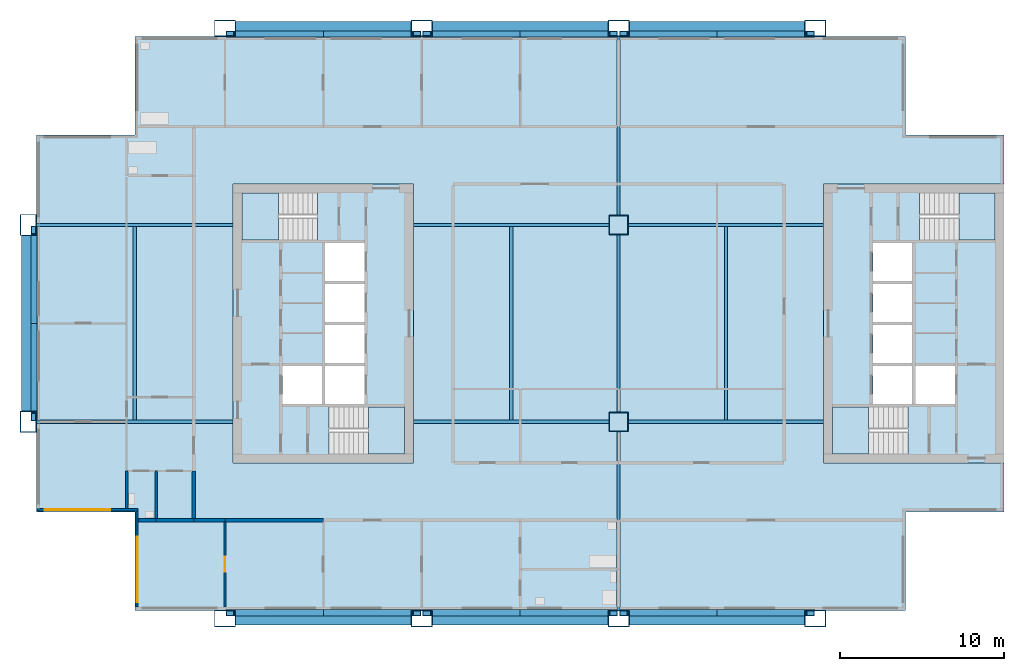
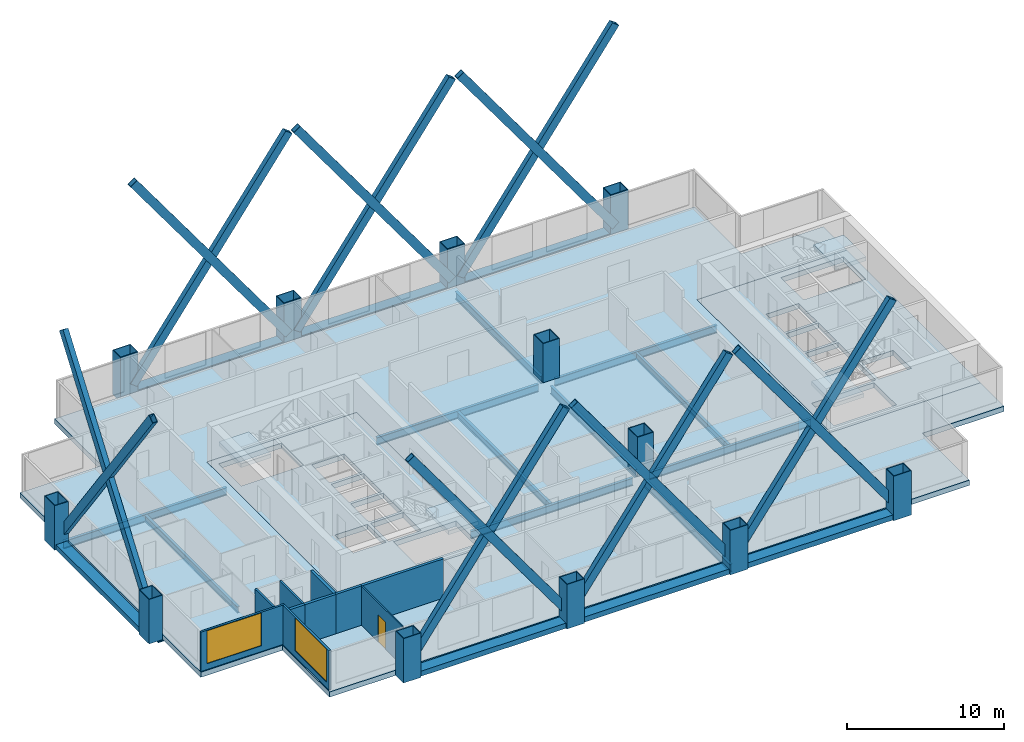
# One storey, part 1 of 8: 19 beams, 14 members, 12 columns, 10 walls, 7 slabs, 2 windows, 1 door, 3 openings, 4 elements without a shape of their own.
"""IFC4 building model written with IfcOpenShell, lengths in metres."""

from ifc_helpers import new_model, si_unit, direction, frame, frame_2d, origin, origin_2d, place, context, subcontext, project, spatial, polyline, rectangle, hollow_rectangle, i_section, outline, extrude, material, layer, layer_set, material_profile, profile_set, type_object, element, fill, aggregate, save


model = new_model("IFC4")

# Units and contexts
model_context = context("Model", 3, precision=1e-05, world=origin(), true_north=direction((0.0, 1.0)))
body_context = subcontext(model_context, "Body", "Model", "MODEL_VIEW")
ifc_project = project(units=[si_unit("LENGTHUNIT", "METRE"), si_unit("AREAUNIT", "SQUARE_METRE"), si_unit("VOLUMEUNIT", "CUBIC_METRE"), si_unit("PLANEANGLEUNIT", "RADIAN"), si_unit("MASSUNIT", "GRAM", prefix="KILO")], contexts=[model_context])

# Site, building, storey
site_placement = place(None, origin())
site = spatial("IfcSite", under=ifc_project, at=site_placement, CompositionType="ELEMENT")
building_placement = place(site_placement, origin())
building = spatial("IfcBuilding", under=site, at=building_placement, Name="Kitamizu Gate Tower and Museum", CompositionType="ELEMENT")
storey_placement = place(building_placement, frame((0.0, 0.0, 158.25)))
storey = spatial("IfcBuildingStorey", under=building, at=storey_placement, Name="L41", CompositionType="ELEMENT", Elevation=158.25)

# Columns
ifc_material_1 = material(Name="Steel SM490A bronze coated", Category="steel")
ifc_material_profile_1 = material_profile(ifc_material_1, hollow_rectangle(XDim=1.300048828125, YDim=1.0, WallThickness=0.050048828125, at=origin_2d()), Name="BOX 1300x1000x50")
ifc_profile_set_1 = profile_set([ifc_material_profile_1], Name="Steel SM490A bronze coated")
column_type_1 = type_object("IfcColumnType", Name="Exoskeleton column XC6 BOX 1300x1000x50", PredefinedType="COLUMN", material=ifc_profile_set_1)
for number, where, z_axis, x_axis, name in (
    (1, (0.0, 24.0, -0.39990234375), (0.0, 0.0, 1.0), (0.0, 1.0, 0.0), "Column XC6 1C L41"),
    (2, (0.0, 36.0, -0.39990234375), (0.0, 0.0, 1.0), (0.0, 1.0, 0.0), "Column XC6 1D L41"),
    (3, (12.0, 12.0, -0.39990234375), (0.0, 0.0, 1.0), (1.0, 0.0, 0.0), "Column XC6 2B L41"),
    (4, (12.0, 48.0, -0.39990234375), (0.0, 0.0, 1.0), (1.0, 0.0, 0.0), "Column XC6 2E L41"),
    (5, (24.0, 12.0, -0.39990234375), (0.0, 0.0, 1.0), (1.0, 0.0, 0.0), "Column XC6 3B L41"),
    (6, (24.0, 48.0, -0.39990234375), (0.0, 0.0, 1.0), (1.0, 0.0, 0.0), "Column XC6 3E L41"),
    (7, (36.0, 12.0, -0.39990234375), (0.0, 0.0, 1.0), (1.0, 0.0, 0.0), "Column XC6 4B L41"),
    (8, (36.0, 48.0, -0.39990234375), (0.0, 0.0, 1.0), (1.0, 0.0, 0.0), "Column XC6 4E L41"),
    (9, (48.0, 12.0, -0.39990234375), (0.0, 0.0, 1.0), (1.0, 0.0, 0.0), "Column XC6 5B L41"),
    (10, (48.0, 48.0, -0.39990234375), (0.0, 0.0, 1.0), (1.0, 0.0, 0.0), "Column XC6 5E L41"),
):
    element("IfcColumn", number, at=place(storey_placement, frame(where, z_axis=z_axis, x_axis=x_axis)), inside=storey, type_object=column_type_1, Name=name, PredefinedType="COLUMN", context=body_context, shape_type="SweptSolid", body=[
        extrude(hollow_rectangle(XDim=1.300048828125, YDim=1.0, WallThickness=0.050048828125, at=origin_2d()), origin(), (0.0, 0.0, 1.0), 3.449951171875),
    ])
ifc_material_2 = material(Name="Steel SM490A", Category="steel")
ifc_material_profile_2 = material_profile(ifc_material_2, hollow_rectangle(XDim=1.199951171875, YDim=1.199951171875, WallThickness=0.050048828125, at=origin_2d()), Name="BOX 1200x1200x50")
ifc_profile_set_2 = profile_set([ifc_material_profile_2], Name="Steel SM490A")
column_type_2 = type_object("IfcColumnType", Name="Interior column IC4 BOX 1200x1200x50", PredefinedType="COLUMN", material=ifc_profile_set_2)
for number, where, z_axis, x_axis, name in (
    (11, (36.0, 24.0, 0.0), (0.0, 0.0, 1.0), (1.0, 0.0, 0.0), "Column IC4 4C L41"),
    (12, (36.0, 36.0, 0.0), (0.0, 0.0, 1.0), (1.0, 0.0, 0.0), "Column IC4 4D L41"),
):
    element("IfcColumn", number, at=place(storey_placement, frame(where, z_axis=z_axis, x_axis=x_axis)), inside=storey, type_object=column_type_2, Name=name, PredefinedType="COLUMN", context=body_context, shape_type="SweptSolid", body=[
        extrude(hollow_rectangle(XDim=1.199951171875, YDim=1.199951171875, WallThickness=0.050048828125, at=origin_2d()), origin(), (0.0, 0.0, 1.0), 3.050048828125),
    ])

# Members
ifc_material_3 = material(Name="Steel SM490A bronze coated", Category="steel")
ifc_material_profile_3 = material_profile(ifc_material_3, hollow_rectangle(XDim=0.3798828125, YDim=0.60009765625, WallThickness=0.031982421875, at=origin_2d()), Name="BOX 380x600x32")
ifc_profile_set_3 = profile_set([ifc_material_profile_3], Name="Steel SM490A bronze coated")
member_type = type_object("IfcMemberType", Name="Exoskeleton brace XB7 BOX 380x600x32", PredefinedType="BRACE", material=ifc_profile_set_3)
for number, where, z_axis, x_axis, name in (
    (13, (12.300048828125, 12.360107421875, 0.60009765625), (0.588784824068, 0.0, 0.808289818658), (0.0, 1.0, 0.0), "Exoskeleton brace XB7 south 12 L41"),
    (14, (23.699951171875, 12.360107421875, 0.60009765625), (-0.588784824068, 0.0, 0.808289818658), (0.0, -1.0, 0.0), "Exoskeleton brace XB7 south 12 L41"),
    (15, (24.300048828125, 12.360107421875, 0.60009765625), (0.588784824068, 0.0, 0.808289818658), (0.0, 1.0, 0.0), "Exoskeleton brace XB7 south 24 L41"),
    (16, (35.699951171875, 12.360107421875, 0.60009765625), (-0.588784824068, 0.0, 0.808289818658), (0.0, -1.0, 0.0), "Exoskeleton brace XB7 south 24 L41"),
    (17, (36.300048828125, 12.360107421875, 0.60009765625), (0.588784824068, 0.0, 0.808289818658), (0.0, 1.0, 0.0), "Exoskeleton brace XB7 south 36 L41"),
    (18, (47.699951171875, 12.360107421875, 0.60009765625), (-0.588784824068, 0.0, 0.808289818658), (0.0, -1.0, 0.0), "Exoskeleton brace XB7 south 36 L41"),
    (19, (12.300048828125, 47.639892578125, 0.60009765625), (0.588784824068, 0.0, 0.808289818658), (0.0, 1.0, 0.0), "Exoskeleton brace XB7 north 12 L41"),
    (20, (23.699951171875, 47.639892578125, 0.60009765625), (-0.588784824068, 0.0, 0.808289818658), (0.0, -1.0, 0.0), "Exoskeleton brace XB7 north 12 L41"),
    (21, (24.300048828125, 47.639892578125, 0.60009765625), (0.588784824068, 0.0, 0.808289818658), (0.0, 1.0, 0.0), "Exoskeleton brace XB7 north 24 L41"),
    (22, (35.699951171875, 47.639892578125, 0.60009765625), (-0.588784824068, 0.0, 0.808289818658), (0.0, -1.0, 0.0), "Exoskeleton brace XB7 north 24 L41"),
    (23, (36.300048828125, 47.639892578125, 0.60009765625), (0.588784824068, 0.0, 0.808289818658), (0.0, 1.0, 0.0), "Exoskeleton brace XB7 north 36 L41"),
    (24, (47.699951171875, 47.639892578125, 0.60009765625), (-0.588784824068, 0.0, 0.808289818658), (0.0, -1.0, 0.0), "Exoskeleton brace XB7 north 36 L41"),
    (25, (0.360107421875, 24.300048828125, 0.60009765625), (0.0, 0.588784824068, 0.808289818658), (-1.0, 0.0, 0.0), "Exoskeleton brace XB7 west 24 L41"),
    (26, (0.360107421875, 35.699951171875, 0.60009765625), (0.0, -0.588784824068, 0.808289818658), (1.0, 0.0, 0.0), "Exoskeleton brace XB7 west 24 L41"),
):
    element("IfcMember", number, at=place(storey_placement, frame(where, z_axis=z_axis, x_axis=x_axis)), inside=storey, type_object=member_type, Name=name, PredefinedType="BRACE", context=body_context, shape_type="SweptSolid", body=[
        extrude(hollow_rectangle(XDim=0.3798828125, YDim=0.60009765625, WallThickness=0.031982421875, at=origin_2d()), origin(), (0.0, 0.0, 1.0), 19.36181640625),
    ])

# Beams
ifc_material_4 = material(Name="Steel SM490A bronze coated", Category="steel")
ifc_material_profile_4 = material_profile(ifc_material_4, hollow_rectangle(XDim=0.800048828125, YDim=0.39990234375, WallThickness=0.0400390625, at=origin_2d()), Name="BOX 800x400x40")
ifc_profile_set_4 = profile_set([ifc_material_profile_4], Name="Steel SM490A bronze coated")
beam_type_1 = type_object("IfcBeamType", Name="Exoskeleton spandrel beam SB1 BOX 800x400x40", PredefinedType="SPANDREL", material=ifc_profile_set_4)
for number, where, z_axis, x_axis, name in (
    (27, (12.64990234375, 12.0, -0.199951171875), (1.0, 0.0, 0.0), (0.0, 1.0, 0.0), "Exoskeleton spandrel beam south 12 L41"),
    (28, (24.64990234375, 12.0, -0.199951171875), (1.0, 0.0, 0.0), (0.0, 1.0, 0.0), "Exoskeleton spandrel beam south 24 L41"),
    (29, (36.64990234375, 12.0, -0.199951171875), (1.0, 0.0, 0.0), (0.0, 1.0, 0.0), "Exoskeleton spandrel beam south 36 L41"),
    (30, (12.64990234375, 48.0, -0.199951171875), (1.0, 0.0, 0.0), (0.0, 1.0, 0.0), "Exoskeleton spandrel beam north 12 L41"),
    (31, (24.64990234375, 48.0, -0.199951171875), (1.0, 0.0, 0.0), (0.0, 1.0, 0.0), "Exoskeleton spandrel beam north 24 L41"),
    (32, (36.64990234375, 48.0, -0.199951171875), (1.0, 0.0, 0.0), (0.0, 1.0, 0.0), "Exoskeleton spandrel beam north 36 L41"),
    (33, (0.0, 24.64990234375, -0.199951171875), (0.0, 1.0, 0.0), (-1.0, 0.0, 0.0), "Exoskeleton spandrel beam west 24 L41"),
):
    element("IfcBeam", number, at=place(storey_placement, frame(where, z_axis=z_axis, x_axis=x_axis)), inside=storey, type_object=beam_type_1, Name=name, PredefinedType="SPANDREL", context=body_context, shape_type="SweptSolid", body=[
        extrude(hollow_rectangle(XDim=0.800048828125, YDim=0.39990234375, WallThickness=0.0400390625, at=origin_2d()), origin(), (0.0, 0.0, 1.0), 10.7001953125),
    ])
ifc_material_5 = material(Name="Steel SM490A", Category="steel")
ifc_material_profile_5 = material_profile(ifc_material_5, i_section(OverallWidth=0.199951171875, OverallDepth=0.5, WebThickness=0.010009765625, FlangeThickness=0.01611328125, FilletRadius=0.02001953125, at=origin_2d()), Name="H-500x200x10x16")
ifc_profile_set_5 = profile_set([ifc_material_profile_5], Name="Steel SM490A")
beam_type_2 = type_object("IfcBeamType", Name="Floor beam FB1 H 500x200x10x16", PredefinedType="BEAM", material=ifc_profile_set_5)
for number, where, z_axis, x_axis, name in (
    (34, (6.5, 24.10009765625, -0.64990234375), (0.0, 1.0, 0.0), (-1.0, 0.0, 0.0), "Floor beam FB1 L41-1"),
    (35, (29.449951171875, 24.10009765625, -0.64990234375), (0.0, 1.0, 0.0), (-1.0, 0.0, 0.0), "Floor beam FB1 L41-2"),
    (36, (42.550048828125, 24.10009765625, -0.64990234375), (0.0, 1.0, 0.0), (-1.0, 0.0, 0.0), "Floor beam FB1 L41-3"),
):
    element("IfcBeam", number, at=place(storey_placement, frame(where, z_axis=z_axis, x_axis=x_axis)), inside=storey, type_object=beam_type_2, Name=name, PredefinedType="BEAM", context=body_context, shape_type="SweptSolid", body=[
        extrude(i_section(OverallWidth=0.199951171875, OverallDepth=0.5, WebThickness=0.010009765625, FlangeThickness=0.01611328125, FilletRadius=0.02001953125, at=origin_2d()), origin(), (0.0, 0.0, 1.0), 11.7998046875),
    ])
ifc_material_6 = material(Name="Steel SM490A", Category="steel")
ifc_material_profile_6 = material_profile(ifc_material_6, i_section(OverallWidth=0.199951171875, OverallDepth=0.60009765625, WebThickness=0.010986328125, FlangeThickness=0.01708984375, FilletRadius=0.02197265625, at=origin_2d()), Name="H-600x200x11x17")
ifc_profile_set_6 = profile_set([ifc_material_profile_6], Name="Steel SM490A")
beam_type_3 = type_object("IfcBeamType", Name="Floor girder FG1 H 600x200x11x17", PredefinedType="BEAM", material=ifc_profile_set_6)
beam_1_placement = place(storey_placement, frame((36.0, 12.5, -0.699951171875), z_axis=(0.0, 1.0, 0.0), x_axis=(-1.0, 0.0, 0.0)))
element("IfcBeam", 37, at=beam_1_placement, inside=storey, type_object=beam_type_3, Name="Floor girder FG1 x36 L41", PredefinedType="BEAM", context=body_context, shape_type="SweptSolid", body=[
    extrude(i_section(OverallWidth=0.199951171875, OverallDepth=0.60009765625, WebThickness=0.010986328125, FlangeThickness=0.01708984375, FilletRadius=0.02197265625, at=origin_2d()), origin(), (0.0, 0.0, 1.0), 10.89990234375),
])
beam_2_placement = place(storey_placement, frame((36.0, 24.60009765625, -0.699951171875), z_axis=(0.0, 1.0, 0.0), x_axis=(-1.0, 0.0, 0.0)))
element("IfcBeam", 38, at=beam_2_placement, inside=storey, type_object=beam_type_3, Name="Floor girder FG1 x36 L41", PredefinedType="BEAM", context=body_context, shape_type="SweptSolid", body=[
    extrude(i_section(OverallWidth=0.199951171875, OverallDepth=0.60009765625, WebThickness=0.010986328125, FlangeThickness=0.01708984375, FilletRadius=0.02197265625, at=origin_2d()), origin(), (0.0, 0.0, 1.0), 10.7998046875),
])
beam_3_placement = place(storey_placement, frame((36.0, 36.60009765625, -0.699951171875), z_axis=(0.0, 1.0, 0.0), x_axis=(-1.0, 0.0, 0.0)))
element("IfcBeam", 39, at=beam_3_placement, inside=storey, type_object=beam_type_3, Name="Floor girder FG1 x36 L41", PredefinedType="BEAM", context=body_context, shape_type="SweptSolid", body=[
    extrude(i_section(OverallWidth=0.199951171875, OverallDepth=0.60009765625, WebThickness=0.010986328125, FlangeThickness=0.01708984375, FilletRadius=0.02197265625, at=origin_2d()), origin(), (0.0, 0.0, 1.0), 10.89990234375),
])
beam_4_placement = place(storey_placement, frame((0.5, 24.0, -0.699951171875), z_axis=(1.0, 0.0, 0.0), x_axis=(0.0, 1.0, 0.0)))
element("IfcBeam", 40, at=beam_4_placement, inside=storey, type_object=beam_type_3, Name="Floor girder FG1 y24 L41", PredefinedType="BEAM", context=body_context, shape_type="SweptSolid", body=[
    extrude(i_section(OverallWidth=0.199951171875, OverallDepth=0.60009765625, WebThickness=0.010986328125, FlangeThickness=0.01708984375, FilletRadius=0.02197265625, at=origin_2d()), origin(), (0.0, 0.0, 1.0), 12.0),
])
for number, where, z_axis, x_axis, name in (
    (41, (23.5, 24.0, -0.699951171875), (1.0, 0.0, 0.0), (0.0, 1.0, 0.0), "Floor girder FG1 y24 L41"),
    (42, (36.60009765625, 24.0, -0.699951171875), (1.0, 0.0, 0.0), (0.0, 1.0, 0.0), "Floor girder FG1 y24 L41"),
):
    element("IfcBeam", number, at=place(storey_placement, frame(where, z_axis=z_axis, x_axis=x_axis)), inside=storey, type_object=beam_type_3, Name=name, PredefinedType="BEAM", context=body_context, shape_type="SweptSolid", body=[
        extrude(i_section(OverallWidth=0.199951171875, OverallDepth=0.60009765625, WebThickness=0.010986328125, FlangeThickness=0.01708984375, FilletRadius=0.02197265625, at=origin_2d()), origin(), (0.0, 0.0, 1.0), 11.89990234375),
    ])
beam_5_placement = place(storey_placement, frame((0.5, 36.0, -0.699951171875), z_axis=(1.0, 0.0, 0.0), x_axis=(0.0, 1.0, 0.0)))
element("IfcBeam", 43, at=beam_5_placement, inside=storey, type_object=beam_type_3, Name="Floor girder FG1 y36 L41", PredefinedType="BEAM", context=body_context, shape_type="SweptSolid", body=[
    extrude(i_section(OverallWidth=0.199951171875, OverallDepth=0.60009765625, WebThickness=0.010986328125, FlangeThickness=0.01708984375, FilletRadius=0.02197265625, at=origin_2d()), origin(), (0.0, 0.0, 1.0), 12.0),
])
for number, where, z_axis, x_axis, name in (
    (44, (23.5, 36.0, -0.699951171875), (1.0, 0.0, 0.0), (0.0, 1.0, 0.0), "Floor girder FG1 y36 L41"),
    (45, (36.60009765625, 36.0, -0.699951171875), (1.0, 0.0, 0.0), (0.0, 1.0, 0.0), "Floor girder FG1 y36 L41"),
):
    element("IfcBeam", number, at=place(storey_placement, frame(where, z_axis=z_axis, x_axis=x_axis)), inside=storey, type_object=beam_type_3, Name=name, PredefinedType="BEAM", context=body_context, shape_type="SweptSolid", body=[
        extrude(i_section(OverallWidth=0.199951171875, OverallDepth=0.60009765625, WebThickness=0.010986328125, FlangeThickness=0.01708984375, FilletRadius=0.02197265625, at=origin_2d()), origin(), (0.0, 0.0, 1.0), 11.89990234375),
    ])

# Slabs
ifc_material_7 = material(Name="Concrete Fc36", Category="concrete")
ifc_layer_1 = layer(ifc_material_7, 0.39990234375)
ifc_layer_set_1 = layer_set([ifc_layer_1], Name="Concrete Fc36")
slab_type_1 = type_object("IfcSlabType", Name="Core floor slab 400", PredefinedType="FLOOR", material=ifc_layer_set_1)
slab_1_placement = place(storey_placement, frame((0.0, 0.0, -0.39990234375)))
element("IfcSlab", 46, at=slab_1_placement, inside=storey, type_object=slab_type_1, Name="Core floor slab W", PredefinedType="FLOOR", context=body_context, shape_type="SweptSolid", body=[
    extrude(outline(polyline([(12.5, 21.5), (23.5, 21.5), (23.5, 38.5), (12.5, 38.5), (12.5, 21.5)]), holes=[polyline([(15.5, 25.10009765625), (17.89990234375, 25.10009765625), (17.89990234375, 27.39990234375), (15.5, 27.39990234375), (15.5, 25.10009765625)]), polyline([(18.10009765625, 25.10009765625), (20.5, 25.10009765625), (20.5, 27.39990234375), (18.10009765625, 27.39990234375), (18.10009765625, 25.10009765625)]), polyline([(18.10009765625, 27.60009765625), (20.5, 27.60009765625), (20.5, 29.89990234375), (18.10009765625, 29.89990234375), (18.10009765625, 27.60009765625)]), polyline([(18.10009765625, 30.10009765625), (20.5, 30.10009765625), (20.5, 32.39990234375), (18.10009765625, 32.39990234375), (18.10009765625, 30.10009765625)]), polyline([(18.10009765625, 32.60009765625), (20.5, 32.60009765625), (20.5, 34.89990234375), (18.10009765625, 34.89990234375), (18.10009765625, 32.60009765625)]), polyline([(18.3505859375, 22.050048828125), (22.949951171875, 22.050048828125), (22.949951171875, 24.89990234375), (18.3505859375, 24.89990234375), (18.3505859375, 22.050048828125)]), polyline([(13.050048828125, 35.10009765625), (17.6494140625, 35.10009765625), (17.6494140625, 37.949951171875), (13.050048828125, 37.949951171875), (13.050048828125, 35.10009765625)])]), origin(), (0.0, 0.0, 1.0), 0.39990234375),
])
slab_2_placement = place(storey_placement, frame((0.0, 0.0, -0.39990234375)))
element("IfcSlab", 47, at=slab_2_placement, inside=storey, type_object=slab_type_1, Name="Core floor slab E", PredefinedType="FLOOR", context=body_context, shape_type="SweptSolid", body=[
    extrude(outline(polyline([(48.5, 21.5), (59.5, 21.5), (59.5, 38.5), (48.5, 38.5), (48.5, 21.5)]), holes=[polyline([(54.10009765625, 25.10009765625), (56.5, 25.10009765625), (56.5, 27.39990234375), (54.10009765625, 27.39990234375), (54.10009765625, 25.10009765625)]), polyline([(51.5, 25.10009765625), (53.89990234375, 25.10009765625), (53.89990234375, 27.39990234375), (51.5, 27.39990234375), (51.5, 25.10009765625)]), polyline([(51.5, 27.60009765625), (53.89990234375, 27.60009765625), (53.89990234375, 29.89990234375), (51.5, 29.89990234375), (51.5, 27.60009765625)]), polyline([(51.5, 30.10009765625), (53.89990234375, 30.10009765625), (53.89990234375, 32.39990234375), (51.5, 32.39990234375), (51.5, 30.10009765625)]), polyline([(51.5, 32.60009765625), (53.89990234375, 32.60009765625), (53.89990234375, 34.89990234375), (51.5, 34.89990234375), (51.5, 32.60009765625)]), polyline([(49.050048828125, 22.050048828125), (53.6494140625, 22.050048828125), (53.6494140625, 24.89990234375), (49.050048828125, 24.89990234375), (49.050048828125, 22.050048828125)]), polyline([(54.3505859375, 35.10009765625), (58.949951171875, 35.10009765625), (58.949951171875, 37.949951171875), (54.3505859375, 37.949951171875), (54.3505859375, 35.10009765625)])]), origin(), (0.0, 0.0, 1.0), 0.39990234375),
])
ifc_material_8 = material(Name="Concrete Fc36", Category="concrete")
ifc_layer_2 = layer(ifc_material_8, 0.39990234375)
ifc_layer_set_2 = layer_set([ifc_layer_2], Name="Concrete Fc36")
slab_type_2 = type_object("IfcSlabType", Name="Post tensioned flat slab 400", PredefinedType="FLOOR", material=ifc_layer_set_2)
slab_3_placement = place(storey_placement, frame((0.0, 0.0, -0.39990234375)))
element("IfcSlab", 48, at=slab_3_placement, inside=storey, type_object=slab_type_2, Name="Floor slab L41-1", PredefinedType="FLOOR", context=body_context, shape_type="SweptSolid", body=[
    extrude(outline(polyline([(0.5, 18.5), (0.5, 41.5), (6.5, 41.5), (6.5, 47.5), (53.5, 47.5), (53.5, 41.5), (59.5, 41.5), (59.5, 38.5), (48.5, 38.5), (48.5, 21.5), (59.5, 21.5), (59.5, 18.5), (53.5, 18.5), (53.5, 12.5), (6.5, 12.5), (6.5, 18.5), (0.5, 18.5)]), holes=[polyline([(12.5, 38.5), (12.5, 21.5), (23.5, 21.5), (23.5, 38.5), (12.5, 38.5)])]), origin(), (0.0, 0.0, 1.0), 0.39990234375),
])

# Stair, slab
ifc_material_9 = material(Name="Concrete Fc42", Category="concrete")
stair_type = type_object("IfcStairType", Name="Exit stair 1325 wide 192 rise 300 going", PredefinedType="HALF_TURN_STAIR", material=ifc_material_9)
stair_1_placement = place(storey_placement, origin())
stair_1 = element("IfcStair", 49, at=stair_1_placement, inside=storey, type_object=stair_type, Name="Exit stair ST1", PredefinedType="HALF_TURN_STAIR")
ifc_material_10 = material(Name="Concrete Fc42", Category="concrete")
ifc_layer_3 = layer(ifc_material_10, 0.300048828125)
ifc_layer_set_3 = layer_set([ifc_layer_3], Name="Concrete Fc42")
slab_type_3 = type_object("IfcSlabType", Name="Stair landing 300", PredefinedType="LANDING", material=ifc_layer_set_3)
slab_4_placement = place(storey_placement, frame((0.0, 0.0, 1.425048828125)))
slab_4 = element("IfcSlab", 50, at=slab_4_placement, type_object=slab_type_3, Name="ST1 landing 1", PredefinedType="LANDING", context=body_context, shape_type="SweptSolid", body=[
    extrude(outline(polyline([(20.75, 22.050048828125), (22.949951171875, 22.050048828125), (22.949951171875, 24.89990234375), (20.75, 24.89990234375), (20.75, 22.050048828125)])), origin(), (0.0, 0.0, 1.0), 0.300048828125),
])
aggregate(stair_1, [slab_4])

stair_2_placement = place(storey_placement, origin())
stair_2 = element("IfcStair", 51, at=stair_2_placement, inside=storey, type_object=stair_type, Name="Exit stair ST2", PredefinedType="HALF_TURN_STAIR")
slab_5_placement = place(storey_placement, frame((0.0, 0.0, 1.425048828125)))
slab_5 = element("IfcSlab", 52, at=slab_5_placement, type_object=slab_type_3, Name="ST2 landing 1", PredefinedType="LANDING", context=body_context, shape_type="SweptSolid", body=[
    extrude(outline(polyline([(13.050048828125, 35.10009765625), (15.25, 35.10009765625), (15.25, 37.949951171875), (13.050048828125, 37.949951171875), (13.050048828125, 35.10009765625)])), origin(), (0.0, 0.0, 1.0), 0.300048828125),
])
aggregate(stair_2, [slab_5])

stair_3_placement = place(storey_placement, origin())
stair_3 = element("IfcStair", 53, at=stair_3_placement, inside=storey, type_object=stair_type, Name="Exit stair ST3", PredefinedType="HALF_TURN_STAIR")
slab_6_placement = place(storey_placement, frame((0.0, 0.0, 1.425048828125)))
slab_6 = element("IfcSlab", 54, at=slab_6_placement, type_object=slab_type_3, Name="ST3 landing 1", PredefinedType="LANDING", context=body_context, shape_type="SweptSolid", body=[
    extrude(outline(polyline([(49.050048828125, 22.050048828125), (51.25, 22.050048828125), (51.25, 24.89990234375), (49.050048828125, 24.89990234375), (49.050048828125, 22.050048828125)])), origin(), (0.0, 0.0, 1.0), 0.300048828125),
])
aggregate(stair_3, [slab_6])

stair_4_placement = place(storey_placement, origin())
stair_4 = element("IfcStair", 55, at=stair_4_placement, inside=storey, type_object=stair_type, Name="Exit stair ST4", PredefinedType="HALF_TURN_STAIR")
slab_7_placement = place(storey_placement, frame((0.0, 0.0, 1.425048828125)))
slab_7 = element("IfcSlab", 56, at=slab_7_placement, type_object=slab_type_3, Name="ST4 landing 1", PredefinedType="LANDING", context=body_context, shape_type="SweptSolid", body=[
    extrude(outline(polyline([(56.75, 35.10009765625), (58.949951171875, 35.10009765625), (58.949951171875, 37.949951171875), (56.75, 37.949951171875), (56.75, 35.10009765625)])), origin(), (0.0, 0.0, 1.0), 0.300048828125),
])
aggregate(stair_4, [slab_7])

# Wall, opening, door
ifc_material_11 = material(Name="Gypsum board on galvanised stud")
ifc_layer_4 = layer(ifc_material_11, 0.10009765625)
ifc_layer_set_4 = layer_set([ifc_layer_4], Name="Gypsum board on galvanised stud")
wall_type_1 = type_object("IfcWallType", Name="Partition 100 NOT RATED", PredefinedType="PARTITIONING", material=ifc_layer_set_4)
wall_1_placement = place(storey_placement, frame((12.0, 12.719970703125, 0.0), z_axis=(0.0, 0.0, 1.0), x_axis=(0.0, 1.0, 0.0)))
wall_1 = element("IfcWall", 57, at=wall_1_placement, inside=storey, type_object=wall_type_1, Name="Partition L41-001", PredefinedType="PARTITIONING", context=body_context, shape_type="SweptSolid", body=[
    extrude(rectangle(XDim=5.179931640625, YDim=0.10009765625, at=frame_2d((2.58984375, 0.0))), origin(), (0.0, 0.0, 1.0), 3.050048828125),
])
opening_1_placement = place(wall_1_placement, frame((2.139892578125, 0.0, 0.0)))
opening_1 = element("IfcOpeningElement", 58, at=opening_1_placement, cuts=wall_1, Name="Opening L41-005", PredefinedType="OPENING", context=body_context, shape_type="SweptSolid", body=[
    extrude(rectangle(XDim=0.89990234375, YDim=2.10009765625, at=frame_2d((0.449951171875, 1.050048828125))), frame((0.0, 0.06005859375, 0.0), z_axis=(0.0, -1.0, 0.0), x_axis=(1.0, 0.0, 0.0)), (0.0, 0.0, 1.0), 0.1201171875),
])
ifc_material_12 = material(Name="Timber door set", Category="wood")
door_type = type_object("IfcDoorType", Name="Room door 900", OperationType="NOTDEFINED", PredefinedType="DOOR", material=ifc_material_12)
door_placement = place(opening_1_placement, origin())
door = element("IfcDoor", 59, at=door_placement, inside=storey, type_object=door_type, Name="Door L41-005", OperationType="SINGLE_SWING_RIGHT", OverallHeight=2.10009765625, OverallWidth=0.89990234375, PredefinedType="DOOR", context=body_context, shape_type="SweptSolid", body=[
    extrude(rectangle(XDim=0.89990234375, YDim=2.10009765625, at=frame_2d((0.449951171875, 1.050048828125))), frame((0.0, 0.02490234375, 0.0), z_axis=(0.0, -1.0, 0.0), x_axis=(1.0, 0.0, 0.0)), (0.0, 0.0, 1.0), 0.050048828125),
])
fill(opening_1, door)

# Walls
ifc_material_13 = material(Name="Gypsum board on galvanised stud")
ifc_layer_5 = layer(ifc_material_13, 0.14990234375)
ifc_layer_set_5 = layer_set([ifc_layer_5], Name="Gypsum board on galvanised stud")
wall_type_2 = type_object("IfcWallType", Name="Partition 150", PredefinedType="PARTITIONING", material=ifc_layer_set_5)
wall_2_placement = place(storey_placement, frame((6.0, 18.719970703125, 0.0), z_axis=(0.0, 0.0, 1.0), x_axis=(0.0, 1.0, 0.0)))
element("IfcWall", 60, at=wall_2_placement, inside=storey, type_object=wall_type_2, Name="Partition L41-028", PredefinedType="PARTITIONING", context=body_context, shape_type="SweptSolid", body=[
    extrude(rectangle(XDim=2.280029296875, YDim=0.14990234375, at=frame_2d((1.14013671875, 0.0))), origin(), (0.0, 0.0, 1.0), 3.050048828125),
])
wall_3_placement = place(storey_placement, frame((7.800048828125, 18.10009765625, 0.0), z_axis=(0.0, 0.0, 1.0), x_axis=(0.0, 1.0, 0.0)))
element("IfcWall", 61, at=wall_3_placement, inside=storey, type_object=wall_type_2, Name="Partition L41-036", PredefinedType="PARTITIONING", context=body_context, shape_type="SweptSolid", body=[
    extrude(rectangle(XDim=2.89990234375, YDim=0.14990234375, at=frame_2d((1.449951171875, 0.0))), origin(), (0.0, 0.0, 1.0), 3.050048828125),
])
ifc_material_14 = material(Name="Gypsum board on galvanised stud")
ifc_layer_6 = layer(ifc_material_14, 0.199951171875)
ifc_layer_set_6 = layer_set([ifc_layer_6], Name="Gypsum board on galvanised stud")
wall_type_3 = type_object("IfcWallType", Name="Partition 200", PredefinedType="PARTITIONING", material=ifc_layer_set_6)
wall_4_placement = place(storey_placement, frame((7.800048828125, 18.0, 0.0), z_axis=(0.0, 0.0, 1.0), x_axis=(-1.0, 0.0, 0.0)))
element("IfcWall", 62, at=wall_4_placement, inside=storey, type_object=wall_type_3, Name="Partition L41-002", PredefinedType="PARTITIONING", context=body_context, shape_type="SweptSolid", body=[
    extrude(rectangle(XDim=1.080078125, YDim=0.199951171875, at=frame_2d((0.5400390625, 0.0))), origin(), (0.0, 0.0, 1.0), 3.050048828125),
])
wall_5_placement = place(storey_placement, frame((10.10009765625, 18.0, 0.0), z_axis=(0.0, 0.0, 1.0), x_axis=(-1.0, 0.0, 0.0)))
element("IfcWall", 63, at=wall_5_placement, inside=storey, type_object=wall_type_3, Name="Partition L41-003", PredefinedType="PARTITIONING", context=body_context, shape_type="SweptSolid", body=[
    extrude(rectangle(XDim=2.300048828125, YDim=0.199951171875, at=frame_2d((1.14990234375, 0.0))), origin(), (0.0, 0.0, 1.0), 3.050048828125),
])
wall_6_placement = place(storey_placement, frame((12.0, 18.0, 0.0), z_axis=(0.0, 0.0, 1.0), x_axis=(-1.0, 0.0, 0.0)))
element("IfcWall", 64, at=wall_6_placement, inside=storey, type_object=wall_type_3, Name="Partition L41-004", PredefinedType="PARTITIONING", context=body_context, shape_type="SweptSolid", body=[
    extrude(rectangle(XDim=1.89990234375, YDim=0.199951171875, at=frame_2d((0.949951171875, 0.0))), origin(), (0.0, 0.0, 1.0), 3.050048828125),
])
wall_7_placement = place(storey_placement, frame((18.0, 18.0, 0.0), z_axis=(0.0, 0.0, 1.0), x_axis=(-1.0, 0.0, 0.0)))
element("IfcWall", 65, at=wall_7_placement, inside=storey, type_object=wall_type_3, Name="Partition L41-006", PredefinedType="PARTITIONING", context=body_context, shape_type="SweptSolid", body=[
    extrude(rectangle(XDim=6.0, YDim=0.199951171875, at=frame_2d((3.0, 0.0))), origin(), (0.0, 0.0, 1.0), 3.050048828125),
])
wall_8_placement = place(storey_placement, frame((10.10009765625, 18.10009765625, 0.0), z_axis=(0.0, 0.0, 1.0), x_axis=(0.0, 1.0, 0.0)))
element("IfcWall", 66, at=wall_8_placement, inside=storey, type_object=wall_type_3, Name="Partition L41-039", PredefinedType="PARTITIONING", context=body_context, shape_type="SweptSolid", body=[
    extrude(rectangle(XDim=2.89990234375, YDim=0.199951171875, at=frame_2d((1.449951171875, 0.0))), origin(), (0.0, 0.0, 1.0), 3.050048828125),
])

# Wall, opening, window
ifc_material_15 = material(Name="Bronze anodised aluminium frame with insulated spandrel and tinted glass", Category="aluminium")
ifc_layer_7 = layer(ifc_material_15, 0.14990234375)
ifc_layer_set_7 = layer_set([ifc_layer_7], Name="Bronze anodised aluminium frame with insulated spandrel and tinted glass")
wall_type_4 = type_object("IfcWallType", Name="WINDOW WALL 150 BRONZE FRAME EI 30", PredefinedType="ELEMENTEDWALL", material=ifc_layer_set_7)
wall_9_placement = place(storey_placement, frame((0.56005859375, 18.635009765625, 0.0), z_axis=(0.0, 0.0, 1.0), x_axis=(1.0, 0.0, 0.0)))
wall_9 = element("IfcWall", 67, at=wall_9_placement, inside=storey, type_object=wall_type_4, Name="Window wall south L41", PredefinedType="ELEMENTEDWALL", context=body_context, shape_type="SweptSolid", body=[
    extrude(rectangle(XDim=6.14990234375, YDim=0.14990234375, at=frame_2d((3.074951171875, 0.0))), origin(), (0.0, 0.0, 1.0), 3.050048828125),
])
opening_2_placement = place(wall_9_placement, frame((0.43994140625, 0.0, 0.449951171875)))
opening_2 = element("IfcOpeningElement", 68, at=opening_2_placement, cuts=wall_9, Name="Opening W16", PredefinedType="OPENING", context=body_context, shape_type="SweptSolid", body=[
    extrude(rectangle(XDim=4.0, YDim=2.550048828125, at=frame_2d((2.0, 1.27490234375))), frame((0.0, 0.0849609375, 0.0), z_axis=(0.0, -1.0, 0.0), x_axis=(1.0, 0.0, 0.0)), (0.0, 0.0, 1.0), 0.169921875),
])
ifc_material_16 = material(Name="Bronze anodised aluminium frame, tinted triple glazing", Category="aluminium")
window_type = type_object("IfcWindowType", Name="WINDOW 4000 x 2550 SILL 450", PartitioningType="SINGLE_PANEL", PredefinedType="WINDOW", material=ifc_material_16)
window_1_placement = place(opening_2_placement, origin())
window_1 = element("IfcWindow", 69, at=window_1_placement, inside=storey, type_object=window_type, Name="Window W16 L41", OverallHeight=2.550048828125, OverallWidth=4.0, PartitioningType="SINGLE_PANEL", PredefinedType="WINDOW", context=body_context, shape_type="SweptSolid", body=[
    extrude(rectangle(XDim=4.0, YDim=2.550048828125, at=frame_2d((2.0, 1.27490234375))), frame((0.0, 0.030029296875, 0.0), z_axis=(0.0, -1.0, 0.0), x_axis=(1.0, 0.0, 0.0)), (0.0, 0.0, 1.0), 0.06005859375),
])
fill(opening_2, window_1)

wall_10_placement = place(storey_placement, frame((6.635009765625, 12.7099609375, 0.0), z_axis=(0.0, 0.0, 1.0), x_axis=(0.0, 1.0, 0.0)))
wall_10 = element("IfcWall", 70, at=wall_10_placement, inside=storey, type_object=wall_type_4, Name="Window wall west L41", PredefinedType="ELEMENTEDWALL", context=body_context, shape_type="SweptSolid", body=[
    extrude(rectangle(XDim=5.85009765625, YDim=0.14990234375, at=frame_2d((2.925048828125, 0.0))), origin(), (0.0, 0.0, 1.0), 3.050048828125),
])
opening_3_placement = place(wall_10_placement, frame((0.2900390625, 0.0, 0.449951171875)))
opening_3 = element("IfcOpeningElement", 71, at=opening_3_placement, cuts=wall_10, Name="Opening W16", PredefinedType="OPENING", context=body_context, shape_type="SweptSolid", body=[
    extrude(rectangle(XDim=4.0, YDim=2.550048828125, at=frame_2d((2.0, 1.27490234375))), frame((0.0, 0.0849609375, 0.0), z_axis=(0.0, -1.0, 0.0), x_axis=(1.0, 0.0, 0.0)), (0.0, 0.0, 1.0), 0.169921875),
])
window_2_placement = place(opening_3_placement, origin())
window_2 = element("IfcWindow", 72, at=window_2_placement, inside=storey, type_object=window_type, Name="Window W16 L41", OverallHeight=2.550048828125, OverallWidth=4.0, PartitioningType="SINGLE_PANEL", PredefinedType="WINDOW", context=body_context, shape_type="SweptSolid", body=[
    extrude(rectangle(XDim=4.0, YDim=2.550048828125, at=frame_2d((2.0, 1.27490234375))), frame((0.0, 0.030029296875, 0.0), z_axis=(0.0, -1.0, 0.0), x_axis=(1.0, 0.0, 0.0)), (0.0, 0.0, 1.0), 0.06005859375),
])
fill(opening_3, window_2)

save(model, "model.ifc")
